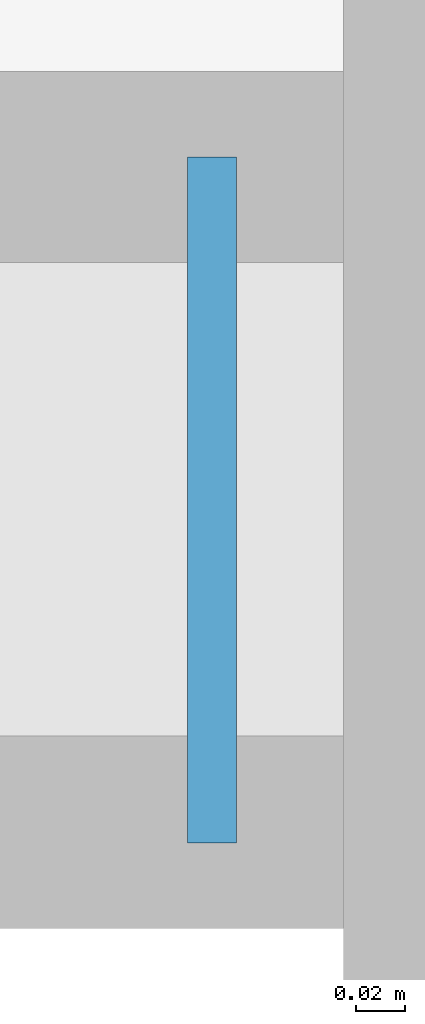
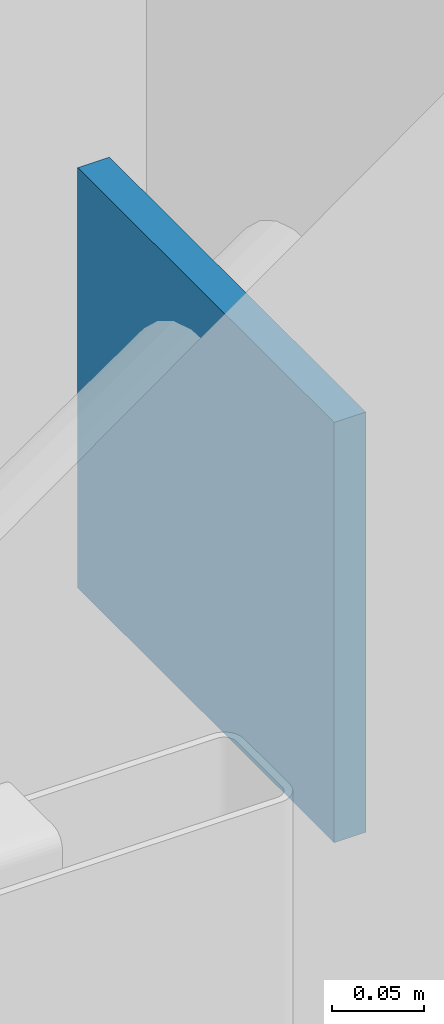
# One storey, part 35 of 49: 1 plate.
"""IFC4 building model written with IfcOpenShell, lengths in metres."""

from ifc_helpers import new_model, si_unit, direction, frame, origin, origin_2d, place, context, subcontext, project, spatial, rectangle, extrude, material, layer, layer_set, type_object, element, save


model = new_model("IFC4")

# Units and contexts
model_context = context("Model", 3, precision=1e-05, world=origin(), true_north=direction((0.0, 1.0)))
body_context = subcontext(model_context, "Body", "Model", "MODEL_VIEW")
ifc_project = project(units=[si_unit("LENGTHUNIT", "METRE"), si_unit("AREAUNIT", "SQUARE_METRE"), si_unit("VOLUMEUNIT", "CUBIC_METRE"), si_unit("PLANEANGLEUNIT", "RADIAN"), si_unit("MASSUNIT", "GRAM", prefix="KILO")], contexts=[model_context])

# Site, building, storey
site_placement = place(None, origin())
site = spatial("IfcSite", under=ifc_project, at=site_placement, CompositionType="ELEMENT")
building_placement = place(site_placement, origin())
building = spatial("IfcBuilding", under=site, at=building_placement, Name="Zulmaris Art Gallery", CompositionType="ELEMENT")
storey_placement = place(building_placement, frame((0.0, 0.0, 20.699951171875)))
storey = spatial("IfcBuildingStorey", under=building, at=storey_placement, Name="L04", CompositionType="ELEMENT", Elevation=20.699951171875)

# Plate
ifc_material = material(Name="Steel S355J2", Category="steel")
ifc_layer = layer(ifc_material, 0.02001953125)
ifc_layer_set = layer_set([ifc_layer], Name="Steel S355J2")
plate_type = type_object("IfcPlateType", Name="PLT-CP01", PredefinedType="USERDEFINED", material=ifc_layer_set)
plate_placement = place(storey_placement, frame((40.371337890625, 21.60009765625, 4.81591796875), z_axis=(0.0, 0.0, 1.0), x_axis=(1.0, 0.0, 0.0)))
element("IfcPlate", 1, at=plate_placement, inside=storey, type_object=plate_type, Name="Hollow-section end cap plate 62", ObjectType="CAP PLATE", PredefinedType="USERDEFINED", context=body_context, shape_type="SweptSolid", body=[
    extrude(rectangle(XDim=0.02001953125, YDim=0.280029296875, at=origin_2d()), origin(), (0.0, 0.0, 1.0), 0.280029296875),
])

save(model, "model.ifc")
